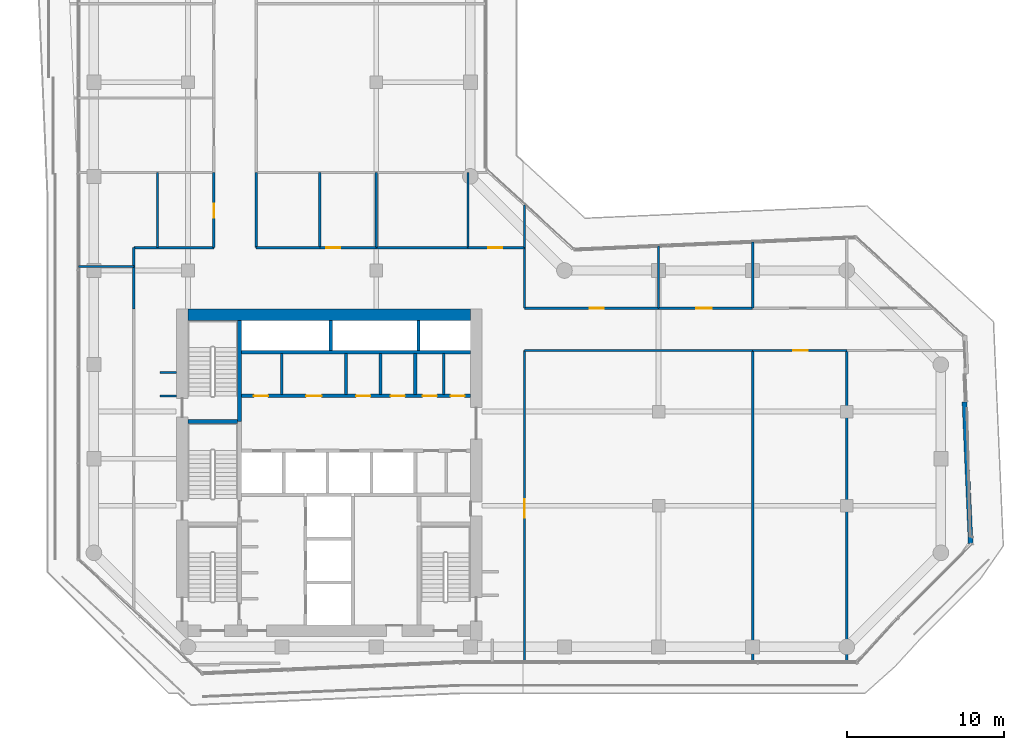
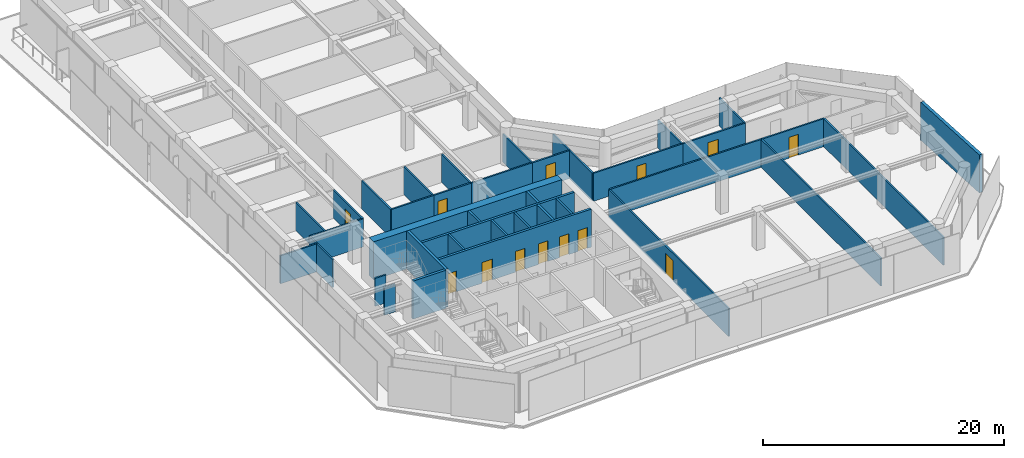
# One storey, part 20 of 24: 39 walls, 13 doors, 13 openings.
"""IFC4 building model written with IfcOpenShell, lengths in metres."""

import ifcopenshell
import ifcopenshell.guid

model = None  # the IFC model being written
_history = None  # IfcOwnerHistory: only IFC2X3 demands one
_inside = {}  # id of a spatial element -> (the spatial element, [elements in it])
_under = {}  # id of a project, library or spatial element -> (it, [spatial elements below it])
_declared = {}  # id of a project -> (the project, [libraries it declares])
_typed = {}  # id of a type object -> (the type object, [elements of that type])
_made_of = {}  # id of a material, layer set ... -> (it, [elements and type objects made of it])


def new_model(schema):
    """Start an empty IFC model of exactly this schema.

    Asked for "IFC4X3", IfcOpenShell would pick the latest addendum, in which some entities
    have other attributes; the version numbers below select the first issue.
    IFC2X3 requires an IfcOwnerHistory on every rooted entity: one is made here for all.
    """
    global model, _history
    if schema == "IFC4X3":
        model = ifcopenshell.file(schema_version=(4, 3, 0, 0))
    else:
        model = ifcopenshell.file(schema=schema)
    _inside.clear()
    _under.clear()
    _declared.clear()
    _typed.clear()
    _made_of.clear()
    _history = None
    if model.schema == "IFC2X3":
        org = make("IfcOrganization", Name="unknown")
        user = make(
            "IfcPersonAndOrganization",
            ThePerson=make("IfcPerson", FamilyName="unknown"),
            TheOrganization=org,
        )
        app = make(
            "IfcApplication",
            ApplicationDeveloper=org,
            Version="unknown",
            ApplicationFullName="unknown",
            ApplicationIdentifier="unknown",
        )
        _history = make(
            "IfcOwnerHistory",
            OwningUser=user,
            OwningApplication=app,
            ChangeAction="ADDED",
            CreationDate=0,
        )
    return model


def make(cls, **values):
    """One entity of the class cls with the attributes given. An attribute that is None is left unset."""
    return model.create_entity(
        cls, **{name: value for name, value in values.items() if value is not None}
    )


def rooted(cls, **values):
    """An entity with a GlobalId (a new one), such as an element, a storey or a relation."""
    return make(cls, GlobalId=ifcopenshell.guid.new(), OwnerHistory=_history, **values)


def si_unit(unit_type, name, prefix=None):
    """IfcSIUnit, for example si_unit("LENGTHUNIT", "METRE", prefix="MILLI")."""
    return make("IfcSIUnit", UnitType=unit_type, Prefix=prefix, Name=name)


def assignment(units):
    """IfcUnitAssignment: the units of a project."""
    return None if units is None else make("IfcUnitAssignment", Units=units)


def point(xyz):
    """IfcCartesianPoint."""
    return None if xyz is None else make("IfcCartesianPoint", Coordinates=xyz)


def direction(xyz):
    """IfcDirection."""
    return None if xyz is None else make("IfcDirection", DirectionRatios=xyz)


def frame(location, z_axis=None, x_axis=None):
    """IfcAxis2Placement3D, a coordinate frame: its origin and axes. An axis left out is left unset."""
    return make(
        "IfcAxis2Placement3D",
        Location=point(location),
        Axis=direction(z_axis),
        RefDirection=direction(x_axis),
    )


def frame_2d(location, x_axis=None):
    """IfcAxis2Placement2D, a coordinate frame in the plane: its origin and x axis."""
    return make(
        "IfcAxis2Placement2D", Location=point(location), RefDirection=direction(x_axis)
    )


def origin():
    """The frame at (0, 0, 0) with its axes left unset."""
    return frame((0.0, 0.0, 0.0))


def place(relative_to, where):
    """IfcLocalPlacement: puts the frame where relative to a parent placement (None: the world)."""
    return make(
        "IfcLocalPlacement", PlacementRelTo=relative_to, RelativePlacement=where
    )


def context(
    kind, dimensions, precision=None, world=None, true_north=None, identifier=None
):
    """IfcGeometricRepresentationContext, for example the 3D "Model" context."""
    return make(
        "IfcGeometricRepresentationContext",
        ContextIdentifier=identifier,
        ContextType=kind,
        CoordinateSpaceDimension=dimensions,
        Precision=precision,
        WorldCoordinateSystem=world,
        TrueNorth=true_north,
    )


def subcontext(parent, identifier, kind, view, scale=None):
    """IfcGeometricRepresentationSubContext, for example "Body" below "Model"."""
    return make(
        "IfcGeometricRepresentationSubContext",
        ContextIdentifier=identifier,
        ContextType=kind,
        ParentContext=parent,
        TargetScale=scale,
        TargetView=view,
    )


def project(units=None, contexts=None):
    """IfcProject with its units and contexts."""
    return rooted(
        "IfcProject",
        Name="project",
        RepresentationContexts=contexts,
        UnitsInContext=assignment(units),
    )


def spatial(cls, under=None, at=None, **own):
    """A site, building, storey or space (cls), placed at a placement, below another one or the project."""
    s = rooted(cls, ObjectPlacement=at, **own)
    if under is not None:
        _under.setdefault(under.id(), (under, []))[1].append(s)
    return s


def profile(cls, at=None, kind="AREA", **sizes):
    """A parametric profile (cls). Its sizes go by their IFC names, for example OverallWidth=200.0."""
    return make(cls, ProfileType=kind, Position=at, **sizes)


def rectangle(**sizes):
    """IfcRectangleProfileDef."""
    return profile("IfcRectangleProfileDef", **sizes)


def extrude(swept, where, along, depth):
    """IfcExtrudedAreaSolid: the profile swept, set in the frame where, extruded along a direction by depth."""
    return make(
        "IfcExtrudedAreaSolid",
        SweptArea=swept,
        Position=where,
        ExtrudedDirection=direction(along),
        Depth=depth,
    )


def shape(context_of_items, identifier, shape_type, items):
    """IfcShapeRepresentation: the items that make up one representation, for example the "Body"."""
    return make(
        "IfcShapeRepresentation",
        ContextOfItems=context_of_items,
        RepresentationIdentifier=identifier,
        RepresentationType=shape_type,
        Items=items,
    )


def material(Name=None, Category=None):
    """IfcMaterial."""
    return make("IfcMaterial", Name=Name, Category=Category)


def layer(
    of_material, thickness, ventilated=None, Name=None, Category=None, Priority=None
):
    """IfcMaterialLayer: one layer of a wall or slab, of a material (None: an air gap)."""
    return make(
        "IfcMaterialLayer",
        Material=of_material,
        LayerThickness=thickness,
        IsVentilated=ventilated,
        Name=Name,
        Category=Category,
        Priority=Priority,
    )


def layer_set(layers, Name=None):
    """IfcMaterialLayerSet."""
    return make("IfcMaterialLayerSet", MaterialLayers=layers, LayerSetName=Name)


def made_of(thing, what):
    """Note that an element or type object is made of a material, layer set ...; save() writes the relation."""
    if what is not None:
        _made_of.setdefault(what.id(), (what, []))[1].append(thing)
    return thing


def type_object(cls, material=None, **own):
    """A type object (cls), such as IfcWallType, which elements share."""
    return made_of(rooted(cls, **own), material)


def element(
    cls,
    number,
    at=None,
    inside=None,
    cuts=None,
    type_object=None,
    material=None,
    context=None,
    identifier="Body",
    shape_type=None,
    held_by="IfcProductDefinitionShape",
    body=None,
    shapes=None,
    **own,
):
    """One element of the class cls, such as IfcWall. Its Tag is "e" and its number.

    at: its placement. inside: the storey or other place that contains it. cuts: it is an
    opening in that element (IfcRelVoidsElement). A single representation is given by context,
    identifier, shape_type and body (its items); several are given by shapes. held_by: the class
    of the entity that holds the representations. save() writes the other relations.
    """
    e = rooted(cls, Tag="e%d" % number, ObjectPlacement=at, **own)
    if body is not None:
        shapes = [shape(context, identifier, shape_type, body)]
    if shapes is not None:
        e.Representation = make(held_by, Representations=shapes)
    if inside is not None:
        _inside.setdefault(inside.id(), (inside, []))[1].append(e)
    if cuts is not None:
        rooted(
            "IfcRelVoidsElement", RelatingBuildingElement=cuts, RelatedOpeningElement=e
        )
    if type_object is not None:
        _typed.setdefault(type_object.id(), (type_object, []))[1].append(e)
    return made_of(e, material)


def fill(opening, filler):
    """IfcRelFillsElement: the door or window that sits in an opening."""
    return rooted(
        "IfcRelFillsElement",
        RelatingOpeningElement=opening,
        RelatedBuildingElement=filler,
    )


def aggregate(whole, parts):
    """IfcRelAggregates: a whole, such as a stair, and the parts it consists of."""
    return rooted("IfcRelAggregates", RelatingObject=whole, RelatedObjects=parts)


def save(model, path):
    """Write the relations noted so far, then the file.

    IfcRelAggregates (storeys below a building ...), IfcRelContainedInSpatialStructure (elements
    in a storey), IfcRelDefinesByType, IfcRelAssociatesMaterial and IfcRelDeclares: one each for
    every whole, place, type object, material and project.
    """
    for whole, parts in _under.values():
        aggregate(whole, parts)
    for where, things in _inside.values():
        rooted(
            "IfcRelContainedInSpatialStructure",
            RelatedElements=things,
            RelatingStructure=where,
        )
    for kind, things in _typed.values():
        rooted("IfcRelDefinesByType", RelatedObjects=things, RelatingType=kind)
    for what, things in _made_of.values():
        rooted("IfcRelAssociatesMaterial", RelatedObjects=things, RelatingMaterial=what)
    for by, libraries in _declared.values():
        rooted("IfcRelDeclares", RelatingContext=by, RelatedDefinitions=libraries)
    model.write(path)


model = new_model("IFC4")

# Units and contexts
model_context = context("Model", 3, precision=1e-05, world=origin(), true_north=direction((0.0, 1.0)))
body_context = subcontext(model_context, "Body", "Model", "MODEL_VIEW")
ifc_project = project(units=[si_unit("LENGTHUNIT", "METRE"), si_unit("AREAUNIT", "SQUARE_METRE"), si_unit("VOLUMEUNIT", "CUBIC_METRE"), si_unit("PLANEANGLEUNIT", "RADIAN"), si_unit("MASSUNIT", "GRAM", prefix="KILO")], contexts=[model_context])

# Site, building, storey
site_placement = place(None, origin())
site = spatial("IfcSite", under=ifc_project, at=site_placement, CompositionType="ELEMENT")
building_placement = place(site_placement, origin())
building = spatial("IfcBuilding", under=site, at=building_placement, Name="Welwitschia Terrace Campus", CompositionType="ELEMENT")
storey_placement = place(building_placement, frame((0.0, 0.0, 100.39990234375)))
storey = spatial("IfcBuildingStorey", under=building, at=storey_placement, Name="L22", CompositionType="ELEMENT", Elevation=100.39990234375)

# Walls
ifc_material_1 = material(Name="Concrete C32/40", Category="concrete")
ifc_layer_1 = layer(ifc_material_1, 0.175048828125)
ifc_layer_set_1 = layer_set([ifc_layer_1], Name="Concrete C32/40")
wall_type_1 = type_object("IfcWallType", Name="Core partition 175 Concrete C32/40", PredefinedType="PARTITIONING", material=ifc_layer_set_1)
for number, where, z_axis, x_axis, name in (
    (1, (11.97509765625, 20.10009765625, 0.0), (0.0, 0.0, 1.0), (0.0, 1.0, 0.0), "Core partition"),
    (2, (16.074951171875, 20.10009765625, 0.0), (0.0, 0.0, 1.0), (0.0, 1.0, 0.0), "Core partition"),
    (3, (18.27490234375, 20.10009765625, 0.0), (0.0, 0.0, 1.0), (0.0, 1.0, 0.0), "Core partition"),
    (4, (22.300048828125, 20.10009765625, 0.0), (0.0, 0.0, 1.0), (0.0, 1.0, 0.0), "Core partition"),
):
    element("IfcWall", number, at=place(storey_placement, frame(where, z_axis=z_axis, x_axis=x_axis)), inside=storey, type_object=wall_type_1, Name=name, PredefinedType="PARTITIONING", context=body_context, shape_type="SweptSolid", body=[
        extrude(rectangle(XDim=2.599853515625, YDim=0.175048828125, at=frame_2d((1.2998046875, 0.0))), origin(), (0.0, 0.0, 1.0), 3.85009765625),
    ])

# Wall, openings, doors
ifc_material_2 = material(Name="Concrete C32/40", Category="concrete")
ifc_layer_2 = layer(ifc_material_2, 0.22509765625)
ifc_layer_set_2 = layer_set([ifc_layer_2], Name="Concrete C32/40")
wall_type_2 = type_object("IfcWallType", Name="Core partition 225 Concrete C32/40", PredefinedType="PARTITIONING", material=ifc_layer_set_2)
wall_1_placement = place(storey_placement, frame((24.0, 20.0, 0.0), z_axis=(0.0, 0.0, 1.0), x_axis=(-1.0, 0.0, 0.0)))
wall_1 = element("IfcWall", 5, at=wall_1_placement, inside=storey, type_object=wall_type_2, Name="Core partition", PredefinedType="PARTITIONING", context=body_context, shape_type="SweptSolid", body=[
    extrude(rectangle(XDim=14.60009765625, YDim=0.22509765625, at=frame_2d((7.300048828125, 0.0))), origin(), (0.0, 0.0, 1.0), 3.85009765625),
])
opening_1_placement = place(wall_1_placement, frame((12.89990234375, 0.0, 0.0)))
opening_1 = element("IfcOpeningElement", 6, at=opening_1_placement, cuts=wall_1, Name="Opening DR09", PredefinedType="OPENING", context=body_context, shape_type="SweptSolid", body=[
    extrude(rectangle(XDim=0.89990234375, YDim=2.10009765625, at=frame_2d((0.449951171875, 1.050048828125))), frame((0.0, 0.12255859375, 0.0), z_axis=(0.0, -1.0, 0.0), x_axis=(1.0, 0.0, 0.0)), (0.0, 0.0, 1.0), 0.2451171875),
])
opening_2_placement = place(wall_1_placement, frame((9.47509765625, 0.0, 0.0)))
opening_2 = element("IfcOpeningElement", 7, at=opening_2_placement, cuts=wall_1, Name="Opening DR10", PredefinedType="OPENING", context=body_context, shape_type="SweptSolid", body=[
    extrude(rectangle(XDim=1.0, YDim=2.10009765625, at=frame_2d((0.5, 1.050048828125))), frame((0.0, 0.12255859375, 0.0), z_axis=(0.0, -1.0, 0.0), x_axis=(1.0, 0.0, 0.0)), (0.0, 0.0, 1.0), 0.2451171875),
])
opening_3_placement = place(wall_1_placement, frame((6.375, 0.0, 0.0)))
opening_3 = element("IfcOpeningElement", 8, at=opening_3_placement, cuts=wall_1, Name="Opening DR09", PredefinedType="OPENING", context=body_context, shape_type="SweptSolid", body=[
    extrude(rectangle(XDim=0.89990234375, YDim=2.10009765625, at=frame_2d((0.449951171875, 1.050048828125))), frame((0.0, 0.12255859375, 0.0), z_axis=(0.0, -1.0, 0.0), x_axis=(1.0, 0.0, 0.0)), (0.0, 0.0, 1.0), 0.2451171875),
])
opening_4_placement = place(wall_1_placement, frame((4.175048828125, 0.0, 0.0)))
opening_4 = element("IfcOpeningElement", 9, at=opening_4_placement, cuts=wall_1, Name="Opening DR09", PredefinedType="OPENING", context=body_context, shape_type="SweptSolid", body=[
    extrude(rectangle(XDim=0.89990234375, YDim=2.10009765625, at=frame_2d((0.449951171875, 1.050048828125))), frame((0.0, 0.12255859375, 0.0), z_axis=(0.0, -1.0, 0.0), x_axis=(1.0, 0.0, 0.0)), (0.0, 0.0, 1.0), 0.2451171875),
])
opening_5_placement = place(wall_1_placement, frame((2.137451171875, 0.0, 0.0)))
opening_5 = element("IfcOpeningElement", 10, at=opening_5_placement, cuts=wall_1, Name="Opening DR09", PredefinedType="OPENING", context=body_context, shape_type="SweptSolid", body=[
    extrude(rectangle(XDim=0.89990234375, YDim=2.10009765625, at=frame_2d((0.449951171875, 1.050048828125))), frame((0.0, 0.12255859375, 0.0), z_axis=(0.0, -1.0, 0.0), x_axis=(1.0, 0.0, 0.0)), (0.0, 0.0, 1.0), 0.2451171875),
])
opening_6_placement = place(wall_1_placement, frame((0.362548828125, 0.0, 0.0)))
opening_6 = element("IfcOpeningElement", 11, at=opening_6_placement, cuts=wall_1, Name="Opening DR09", PredefinedType="OPENING", context=body_context, shape_type="SweptSolid", body=[
    extrude(rectangle(XDim=0.89990234375, YDim=2.10009765625, at=frame_2d((0.449951171875, 1.050048828125))), frame((0.0, 0.12255859375, 0.0), z_axis=(0.0, -1.0, 0.0), x_axis=(1.0, 0.0, 0.0)), (0.0, 0.0, 1.0), 0.2451171875),
])
ifc_material_3 = material(Name="Steel S275", Category="steel")
door_type_1 = type_object("IfcDoorType", Name="Core door DR09", OperationType="SINGLE_SWING_LEFT", PredefinedType="DOOR", material=ifc_material_3)
door_1_placement = place(opening_1_placement, origin())
door_1 = element("IfcDoor", 12, at=door_1_placement, inside=storey, type_object=door_type_1, Name="Door BAYH1-D", OperationType="SINGLE_SWING_RIGHT", OverallHeight=2.10009765625, OverallWidth=0.89990234375, PredefinedType="DOOR", context=body_context, shape_type="SweptSolid", body=[
    extrude(rectangle(XDim=0.89990234375, YDim=2.10009765625, at=frame_2d((0.449951171875, 1.050048828125))), frame((0.0, 0.02490234375, 0.0), z_axis=(0.0, -1.0, 0.0), x_axis=(1.0, 0.0, 0.0)), (0.0, 0.0, 1.0), 0.050048828125),
])
fill(opening_1, door_1)
door_2_placement = place(opening_3_placement, origin())
door_2 = element("IfcDoor", 13, at=door_2_placement, inside=storey, type_object=door_type_1, Name="Door BAYH3-D", OperationType="SINGLE_SWING_LEFT", OverallHeight=2.10009765625, OverallWidth=0.89990234375, PredefinedType="DOOR", context=body_context, shape_type="SweptSolid", body=[
    extrude(rectangle(XDim=0.89990234375, YDim=2.10009765625, at=frame_2d((0.449951171875, 1.050048828125))), frame((0.0, 0.02490234375, 0.0), z_axis=(0.0, -1.0, 0.0), x_axis=(1.0, 0.0, 0.0)), (0.0, 0.0, 1.0), 0.050048828125),
])
fill(opening_3, door_2)
door_3_placement = place(opening_4_placement, origin())
door_3 = element("IfcDoor", 14, at=door_3_placement, inside=storey, type_object=door_type_1, Name="Door BAYH4-D", OperationType="SINGLE_SWING_LEFT", OverallHeight=2.10009765625, OverallWidth=0.89990234375, PredefinedType="DOOR", context=body_context, shape_type="SweptSolid", body=[
    extrude(rectangle(XDim=0.89990234375, YDim=2.10009765625, at=frame_2d((0.449951171875, 1.050048828125))), frame((0.0, 0.02490234375, 0.0), z_axis=(0.0, -1.0, 0.0), x_axis=(1.0, 0.0, 0.0)), (0.0, 0.0, 1.0), 0.050048828125),
])
fill(opening_4, door_3)
door_4_placement = place(opening_5_placement, origin())
door_4 = element("IfcDoor", 15, at=door_4_placement, inside=storey, type_object=door_type_1, Name="Door EH1-D", OperationType="SINGLE_SWING_LEFT", OverallHeight=2.10009765625, OverallWidth=0.89990234375, PredefinedType="DOOR", context=body_context, shape_type="SweptSolid", body=[
    extrude(rectangle(XDim=0.89990234375, YDim=2.10009765625, at=frame_2d((0.449951171875, 1.050048828125))), frame((0.0, 0.02490234375, 0.0), z_axis=(0.0, -1.0, 0.0), x_axis=(1.0, 0.0, 0.0)), (0.0, 0.0, 1.0), 0.050048828125),
])
fill(opening_5, door_4)
door_5_placement = place(opening_6_placement, origin())
door_5 = element("IfcDoor", 16, at=door_5_placement, inside=storey, type_object=door_type_1, Name="Door EH2-D", OperationType="SINGLE_SWING_LEFT", OverallHeight=2.10009765625, OverallWidth=0.89990234375, PredefinedType="DOOR", context=body_context, shape_type="SweptSolid", body=[
    extrude(rectangle(XDim=0.89990234375, YDim=2.10009765625, at=frame_2d((0.449951171875, 1.050048828125))), frame((0.0, 0.02490234375, 0.0), z_axis=(0.0, -1.0, 0.0), x_axis=(1.0, 0.0, 0.0)), (0.0, 0.0, 1.0), 0.050048828125),
])
fill(opening_6, door_5)
ifc_material_4 = material(Name="Steel S275", Category="steel")
door_type_2 = type_object("IfcDoorType", Name="Core door DR10", OperationType="SINGLE_SWING_LEFT", PredefinedType="DOOR", material=ifc_material_4)
door_6_placement = place(opening_2_placement, origin())
door_6 = element("IfcDoor", 17, at=door_6_placement, inside=storey, type_object=door_type_2, Name="Door BAYH2-D", OperationType="SINGLE_SWING_RIGHT", OverallHeight=2.10009765625, OverallWidth=1.0, PredefinedType="DOOR", context=body_context, shape_type="SweptSolid", body=[
    extrude(rectangle(XDim=1.0, YDim=2.10009765625, at=frame_2d((0.5, 1.050048828125))), frame((0.0, 0.02490234375, 0.0), z_axis=(0.0, -1.0, 0.0), x_axis=(1.0, 0.0, 0.0)), (0.0, 0.0, 1.0), 0.050048828125),
])
fill(opening_2, door_6)

# Walls
wall_2_placement = place(storey_placement, frame((9.39990234375, 22.800048828125, 0.0), z_axis=(0.0, 0.0, 1.0), x_axis=(1.0, 0.0, 0.0)))
element("IfcWall", 18, at=wall_2_placement, inside=storey, type_object=wall_type_2, Name="Shaft wall", PredefinedType="PARTITIONING", context=body_context, shape_type="SweptSolid", body=[
    extrude(rectangle(XDim=14.60009765625, YDim=0.22509765625, at=frame_2d((7.300048828125, 0.0))), origin(), (0.0, 0.0, 1.0), 3.85009765625),
])
wall_3_placement = place(storey_placement, frame((20.5, 20.10009765625, 0.0), z_axis=(0.0, 0.0, 1.0), x_axis=(0.0, 1.0, 0.0)))
element("IfcWall", 19, at=wall_3_placement, inside=storey, type_object=wall_type_2, Name="Core partition", PredefinedType="PARTITIONING", context=body_context, shape_type="SweptSolid", body=[
    extrude(rectangle(XDim=2.599853515625, YDim=0.22509765625, at=frame_2d((1.2998046875, 0.0))), origin(), (0.0, 0.0, 1.0), 3.85009765625),
])
ifc_material_5 = material(Name="Concrete C50/60", Category="concrete")
ifc_layer_3 = layer(ifc_material_5, 0.199951171875)
ifc_layer_set_3 = layer_set([ifc_layer_3], Name="Concrete C50/60")
wall_type_3 = type_object("IfcWallType", Name="Core wall 200 Concrete C50/60", PredefinedType="SHEAR", material=ifc_layer_set_3)
for number, where, z_axis, x_axis, name in (
    (20, (15.10009765625, 22.89990234375, 0.0), (0.0, 0.0, 1.0), (0.0, 1.0, 0.0), "Core wall"),
    (21, (20.699951171875, 22.89990234375, 0.0), (0.0, 0.0, 1.0), (0.0, 1.0, 0.0), "Core wall"),
):
    element("IfcWall", number, at=place(storey_placement, frame(where, z_axis=z_axis, x_axis=x_axis)), inside=storey, type_object=wall_type_3, Name=name, PredefinedType="SHEAR", context=body_context, shape_type="SweptSolid", body=[
        extrude(rectangle(XDim=1.900146484375, YDim=0.199951171875, at=frame_2d((0.9501953125, 0.0))), origin(), (0.0, 0.0, 1.0), 3.85009765625),
    ])
ifc_material_6 = material(Name="Concrete C50/60", Category="concrete")
ifc_layer_4 = layer(ifc_material_6, 0.25)
ifc_layer_set_4 = layer_set([ifc_layer_4], Name="Concrete C50/60")
wall_type_4 = type_object("IfcWallType", Name="Core wall 250 Concrete C50/60", PredefinedType="SHEAR", material=ifc_layer_set_4)
wall_4_placement = place(storey_placement, frame((6.0, 18.375, 0.0), z_axis=(0.0, 0.0, 1.0), x_axis=(1.0, 0.0, 0.0)))
element("IfcWall", 22, at=wall_4_placement, inside=storey, type_object=wall_type_4, Name="Core wall", PredefinedType="SHEAR", context=body_context, shape_type="SweptSolid", body=[
    extrude(rectangle(XDim=3.14990234375, YDim=0.25, at=frame_2d((1.574951171875, 0.0))), origin(), (0.0, 0.0, 1.0), 3.85009765625),
])
wall_5_placement = place(storey_placement, frame((9.27490234375, 18.375, 0.0), z_axis=(0.0, 0.0, 1.0), x_axis=(0.0, 1.0, 0.0)))
element("IfcWall", 23, at=wall_5_placement, inside=storey, type_object=wall_type_4, Name="Core wall", PredefinedType="SHEAR", context=body_context, shape_type="SweptSolid", body=[
    extrude(rectangle(XDim=6.425048828125, YDim=0.25, at=frame_2d((3.21240234375, 0.0))), origin(), (0.0, 0.0, 1.0), 3.85009765625),
])
ifc_material_7 = material(Name="Concrete C70/85", Category="concrete")
ifc_layer_5 = layer(ifc_material_7, 0.75)
ifc_layer_set_5 = layer_set([ifc_layer_5], Name="Concrete C70/85")
wall_type_5 = type_object("IfcWallType", Name="Core wall 750 Concrete C70/85", PredefinedType="SHEAR", material=ifc_layer_set_5)
wall_6_placement = place(storey_placement, frame((6.0, 25.175048828125, 0.0), z_axis=(0.0, 0.0, 1.0), x_axis=(1.0, 0.0, 0.0)))
element("IfcWall", 24, at=wall_6_placement, inside=storey, type_object=wall_type_5, Name="Core outer wall", PredefinedType="SHEAR", context=body_context, shape_type="SweptSolid", body=[
    extrude(rectangle(XDim=18.0, YDim=0.75, at=frame_2d((9.0, 0.0))), origin(), (0.0, 0.0, 1.0), 3.85009765625),
])
ifc_material_8 = material(Name="Gypsum board on steel studs", Category="steel")
ifc_layer_6 = layer(ifc_material_8, 0.14990234375)
ifc_layer_set_6 = layer_set([ifc_layer_6], Name="Gypsum board on steel studs")
wall_type_6 = type_object("IfcWallType", Name="Corridor partition 150 EI 30", PredefinedType="PARTITIONING", material=ifc_layer_set_6)
wall_7_placement = place(storey_placement, frame((-0.97998046875, 28.25, 0.0), z_axis=(0.0, 0.0, 1.0), x_axis=(1.0, 0.0, 0.0)))
element("IfcWall", 25, at=wall_7_placement, inside=storey, type_object=wall_type_6, Name="Partition", PredefinedType="PARTITIONING", context=body_context, shape_type="SweptSolid", body=[
    extrude(rectangle(XDim=3.530029296875, YDim=0.14990234375, at=frame_2d((1.76513671875, 0.0))), origin(), (0.0, 0.0, 1.0), 2.830078125),
])
wall_8_placement = place(storey_placement, frame((2.550048828125, 25.550048828125, 0.0), z_axis=(0.0, 0.0, 1.0), x_axis=(0.0, 1.0, 0.0)))
element("IfcWall", 26, at=wall_8_placement, inside=storey, type_object=wall_type_6, Name="Partition", PredefinedType="PARTITIONING", context=body_context, shape_type="SweptSolid", body=[
    extrude(rectangle(XDim=3.89990234375, YDim=0.14990234375, at=frame_2d((1.949951171875, 0.0))), origin(), (0.0, 0.0, 1.0), 2.830078125),
])
wall_9_placement = place(storey_placement, frame((2.550048828125, 29.449951171875, 0.0), z_axis=(0.0, 0.0, 1.0), x_axis=(1.0, 0.0, 0.0)))
element("IfcWall", 27, at=wall_9_placement, inside=storey, type_object=wall_type_6, Name="Partition", PredefinedType="PARTITIONING", context=body_context, shape_type="SweptSolid", body=[
    extrude(rectangle(XDim=5.099853515625, YDim=0.14990234375, at=frame_2d((2.5498046875, 0.0))), origin(), (0.0, 0.0, 1.0), 2.830078125),
])
wall_10_placement = place(storey_placement, frame((4.050048828125, 29.449951171875, 0.0), z_axis=(0.0, 0.0, 1.0), x_axis=(0.0, 1.0, 0.0)))
element("IfcWall", 28, at=wall_10_placement, inside=storey, type_object=wall_type_6, Name="Partition", PredefinedType="PARTITIONING", context=body_context, shape_type="SweptSolid", body=[
    extrude(rectangle(XDim=4.800048828125, YDim=0.14990234375, at=frame_2d((2.39990234375, 0.0))), origin(), (0.0, 0.0, 1.0), 2.830078125),
])
for number, where, z_axis, x_axis, name in (
    (29, (4.199951171875, 20.0, 0.0), (0.0, 0.0, 1.0), (1.0, 0.0, 0.0), "Partition"),
    (30, (4.199951171875, 21.5, 0.0), (0.0, 0.0, 1.0), (1.0, 0.0, 0.0), "Partition"),
):
    element("IfcWall", number, at=place(storey_placement, frame(where, z_axis=z_axis, x_axis=x_axis)), inside=storey, type_object=wall_type_6, Name=name, PredefinedType="PARTITIONING", context=body_context, shape_type="SweptSolid", body=[
        extrude(rectangle(XDim=1.050048828125, YDim=0.14990234375, at=frame_2d((0.52490234375, 0.0))), origin(), (0.0, 0.0, 1.0), 2.830078125),
    ])

# Wall, opening, door
wall_11_placement = place(storey_placement, frame((7.64990234375, 29.449951171875, 0.0), z_axis=(0.0, 0.0, 1.0), x_axis=(0.0, 1.0, 0.0)))
wall_11 = element("IfcWall", 31, at=wall_11_placement, inside=storey, type_object=wall_type_6, Name="Partition", PredefinedType="PARTITIONING", context=body_context, shape_type="SweptSolid", body=[
    extrude(rectangle(XDim=4.800048828125, YDim=0.14990234375, at=frame_2d((2.39990234375, 0.0))), origin(), (0.0, 0.0, 1.0), 2.830078125),
])
opening_7_placement = place(wall_11_placement, frame((1.89990234375, 0.0, 0.0)))
opening_7 = element("IfcOpeningElement", 32, at=opening_7_placement, cuts=wall_11, Name="Opening DI09", PredefinedType="OPENING", context=body_context, shape_type="SweptSolid", body=[
    extrude(rectangle(XDim=0.89990234375, YDim=2.10009765625, at=frame_2d((0.449951171875, 1.050048828125))), frame((0.0, 0.0849609375, 0.0), z_axis=(0.0, -1.0, 0.0), x_axis=(1.0, 0.0, 0.0)), (0.0, 0.0, 1.0), 0.169921875),
])
ifc_material_9 = material(Name="Timber veneered door", Category="wood")
door_type_3 = type_object("IfcDoorType", Name="Interior door DI09", OperationType="NOTDEFINED", PredefinedType="DOOR", material=ifc_material_9)
door_7_placement = place(opening_7_placement, origin())
door_7 = element("IfcDoor", 33, at=door_7_placement, inside=storey, type_object=door_type_3, Name="Door L22 480", OperationType="SINGLE_SWING_LEFT", OverallHeight=2.10009765625, OverallWidth=0.89990234375, PredefinedType="DOOR", context=body_context, shape_type="SweptSolid", body=[
    extrude(rectangle(XDim=0.89990234375, YDim=2.10009765625, at=frame_2d((0.449951171875, 1.050048828125))), frame((0.0, 0.02490234375, 0.0), z_axis=(0.0, -1.0, 0.0), x_axis=(1.0, 0.0, 0.0)), (0.0, 0.0, 1.0), 0.050048828125),
])
fill(opening_7, door_7)

# Walls
wall_12_placement = place(storey_placement, frame((10.35009765625, 29.449951171875, 0.0), z_axis=(0.0, 0.0, 1.0), x_axis=(0.0, 1.0, 0.0)))
element("IfcWall", 34, at=wall_12_placement, inside=storey, type_object=wall_type_6, Name="Partition", PredefinedType="PARTITIONING", context=body_context, shape_type="SweptSolid", body=[
    extrude(rectangle(XDim=4.800048828125, YDim=0.14990234375, at=frame_2d((2.39990234375, 0.0))), origin(), (0.0, 0.0, 1.0), 2.830078125),
])
wall_13_placement = place(storey_placement, frame((10.35009765625, 29.449951171875, 0.0), z_axis=(0.0, 0.0, 1.0), x_axis=(1.0, 0.0, 0.0)))
element("IfcWall", 35, at=wall_13_placement, inside=storey, type_object=wall_type_6, Name="Partition", PredefinedType="PARTITIONING", context=body_context, shape_type="SweptSolid", body=[
    extrude(rectangle(XDim=4.0498046875, YDim=0.14990234375, at=frame_2d((2.02490234375, 0.0))), origin(), (0.0, 0.0, 1.0), 2.830078125),
])
wall_14_placement = place(storey_placement, frame((14.39990234375, 29.449951171875, 0.0), z_axis=(0.0, 0.0, 1.0), x_axis=(0.0, 1.0, 0.0)))
element("IfcWall", 36, at=wall_14_placement, inside=storey, type_object=wall_type_6, Name="Partition", PredefinedType="PARTITIONING", context=body_context, shape_type="SweptSolid", body=[
    extrude(rectangle(XDim=4.800048828125, YDim=0.14990234375, at=frame_2d((2.39990234375, 0.0))), origin(), (0.0, 0.0, 1.0), 2.830078125),
])

# Wall, opening, door
wall_15_placement = place(storey_placement, frame((14.39990234375, 29.449951171875, 0.0), z_axis=(0.0, 0.0, 1.0), x_axis=(1.0, 0.0, 0.0)))
wall_15 = element("IfcWall", 37, at=wall_15_placement, inside=storey, type_object=wall_type_6, Name="Partition", PredefinedType="PARTITIONING", context=body_context, shape_type="SweptSolid", body=[
    extrude(rectangle(XDim=3.60009765625, YDim=0.14990234375, at=frame_2d((1.800048828125, 0.0))), origin(), (0.0, 0.0, 1.0), 2.830078125),
])
opening_8_placement = place(wall_15_placement, frame((0.39990234375, 0.0, 0.0)))
opening_8 = element("IfcOpeningElement", 38, at=opening_8_placement, cuts=wall_15, Name="Opening DI09", PredefinedType="OPENING", context=body_context, shape_type="SweptSolid", body=[
    extrude(rectangle(XDim=0.89990234375, YDim=2.10009765625, at=frame_2d((0.449951171875, 1.050048828125))), frame((0.0, 0.0849609375, 0.0), z_axis=(0.0, -1.0, 0.0), x_axis=(1.0, 0.0, 0.0)), (0.0, 0.0, 1.0), 0.169921875),
])
door_8_placement = place(opening_8_placement, origin())
door_8 = element("IfcDoor", 39, at=door_8_placement, inside=storey, type_object=door_type_3, Name="Door L22 491", OperationType="SINGLE_SWING_RIGHT", OverallHeight=2.10009765625, OverallWidth=0.89990234375, PredefinedType="DOOR", context=body_context, shape_type="SweptSolid", body=[
    extrude(rectangle(XDim=0.89990234375, YDim=2.10009765625, at=frame_2d((0.449951171875, 1.050048828125))), frame((0.0, 0.02490234375, 0.0), z_axis=(0.0, -1.0, 0.0), x_axis=(1.0, 0.0, 0.0)), (0.0, 0.0, 1.0), 0.050048828125),
])
fill(opening_8, door_8)

# Walls
wall_16_placement = place(storey_placement, frame((18.0, 29.449951171875, 0.0), z_axis=(0.0, 0.0, 1.0), x_axis=(0.0, 1.0, 0.0)))
element("IfcWall", 40, at=wall_16_placement, inside=storey, type_object=wall_type_6, Name="Partition", PredefinedType="PARTITIONING", context=body_context, shape_type="SweptSolid", body=[
    extrude(rectangle(XDim=4.800048828125, YDim=0.14990234375, at=frame_2d((2.39990234375, 0.0))), origin(), (0.0, 0.0, 1.0), 2.830078125),
])
wall_17_placement = place(storey_placement, frame((18.0, 29.449951171875, 0.0), z_axis=(0.0, 0.0, 1.0), x_axis=(1.0, 0.0, 0.0)))
element("IfcWall", 41, at=wall_17_placement, inside=storey, type_object=wall_type_6, Name="Partition", PredefinedType="PARTITIONING", context=body_context, shape_type="SweptSolid", body=[
    extrude(rectangle(XDim=5.85009765625, YDim=0.14990234375, at=frame_2d((2.925048828125, 0.0))), origin(), (0.0, 0.0, 1.0), 2.830078125),
])
wall_18_placement = place(storey_placement, frame((23.85009765625, 29.449951171875, 0.0), z_axis=(0.0, 0.0, 1.0), x_axis=(0.0, 1.0, 0.0)))
element("IfcWall", 42, at=wall_18_placement, inside=storey, type_object=wall_type_6, Name="Partition", PredefinedType="PARTITIONING", context=body_context, shape_type="SweptSolid", body=[
    extrude(rectangle(XDim=4.800048828125, YDim=0.14990234375, at=frame_2d((2.39990234375, 0.0))), origin(), (0.0, 0.0, 1.0), 2.830078125),
])

# Wall, opening, door
wall_19_placement = place(storey_placement, frame((23.85009765625, 29.449951171875, 0.0), z_axis=(0.0, 0.0, 1.0), x_axis=(1.0, 0.0, 0.0)))
wall_19 = element("IfcWall", 43, at=wall_19_placement, inside=storey, type_object=wall_type_6, Name="Partition", PredefinedType="PARTITIONING", context=body_context, shape_type="SweptSolid", body=[
    extrude(rectangle(XDim=3.599853515625, YDim=0.14990234375, at=frame_2d((1.7998046875, 0.0))), origin(), (0.0, 0.0, 1.0), 2.830078125),
])
opening_9_placement = place(wall_19_placement, frame((1.300048828125, 0.0, 0.0)))
opening_9 = element("IfcOpeningElement", 44, at=opening_9_placement, cuts=wall_19, Name="Opening DI09", PredefinedType="OPENING", context=body_context, shape_type="SweptSolid", body=[
    extrude(rectangle(XDim=0.89990234375, YDim=2.10009765625, at=frame_2d((0.449951171875, 1.050048828125))), frame((0.0, 0.0849609375, 0.0), z_axis=(0.0, -1.0, 0.0), x_axis=(1.0, 0.0, 0.0)), (0.0, 0.0, 1.0), 0.169921875),
])
door_9_placement = place(opening_9_placement, origin())
door_9 = element("IfcDoor", 45, at=door_9_placement, inside=storey, type_object=door_type_3, Name="Door L22 492", OperationType="SINGLE_SWING_LEFT", OverallHeight=2.10009765625, OverallWidth=0.89990234375, PredefinedType="DOOR", context=body_context, shape_type="SweptSolid", body=[
    extrude(rectangle(XDim=0.89990234375, YDim=2.10009765625, at=frame_2d((0.449951171875, 1.050048828125))), frame((0.0, 0.02490234375, 0.0), z_axis=(0.0, -1.0, 0.0), x_axis=(1.0, 0.0, 0.0)), (0.0, 0.0, 1.0), 0.050048828125),
])
fill(opening_9, door_9)

wall_20_placement = place(storey_placement, frame((27.449951171875, 22.89990234375, 0.0), z_axis=(0.0, 0.0, 1.0), x_axis=(0.0, -1.0, 0.0)))
wall_20 = element("IfcWall", 46, at=wall_20_placement, inside=storey, type_object=wall_type_6, Name="Partition", PredefinedType="PARTITIONING", context=body_context, shape_type="SweptSolid", body=[
    extrude(rectangle(XDim=19.8798828125, YDim=0.14990234375, at=frame_2d((9.93994140625, 0.0))), origin(), (0.0, 0.0, 1.0), 2.830078125),
])
opening_10_placement = place(wall_20_placement, frame((9.47998046875, 0.0, 0.0)))
opening_10 = element("IfcOpeningElement", 47, at=opening_10_placement, cuts=wall_20, Name="Opening DI12", PredefinedType="OPENING", context=body_context, shape_type="SweptSolid", body=[
    extrude(rectangle(XDim=1.199951171875, YDim=2.10009765625, at=frame_2d((0.60009765625, 1.050048828125))), frame((0.0, 0.0849609375, 0.0), z_axis=(0.0, -1.0, 0.0), x_axis=(1.0, 0.0, 0.0)), (0.0, 0.0, 1.0), 0.169921875),
])
ifc_material_10 = material(Name="Timber veneered door", Category="wood")
door_type_4 = type_object("IfcDoorType", Name="Interior door DI12", OperationType="NOTDEFINED", PredefinedType="DOOR", material=ifc_material_10)
door_10_placement = place(opening_10_placement, origin())
door_10 = element("IfcDoor", 48, at=door_10_placement, inside=storey, type_object=door_type_4, Name="Door L22 493", OperationType="SINGLE_SWING_RIGHT", OverallHeight=2.10009765625, OverallWidth=1.199951171875, PredefinedType="DOOR", context=body_context, shape_type="SweptSolid", body=[
    extrude(rectangle(XDim=1.199951171875, YDim=2.10009765625, at=frame_2d((0.60009765625, 1.050048828125))), frame((0.0, 0.02490234375, 0.0), z_axis=(0.0, -1.0, 0.0), x_axis=(1.0, 0.0, 0.0)), (0.0, 0.0, 1.0), 0.050048828125),
])
fill(opening_10, door_10)

# Walls
wall_21_placement = place(storey_placement, frame((27.449951171875, 22.89990234375, 0.0), z_axis=(0.0, 0.0, 1.0), x_axis=(1.0, 0.0, 0.0)))
element("IfcWall", 49, at=wall_21_placement, inside=storey, type_object=wall_type_6, Name="Partition", PredefinedType="PARTITIONING", context=body_context, shape_type="SweptSolid", body=[
    extrude(rectangle(XDim=14.550048828125, YDim=0.14990234375, at=frame_2d((7.27490234375, 0.0))), origin(), (0.0, 0.0, 1.0), 2.830078125),
])
wall_22_placement = place(storey_placement, frame((27.449951171875, 25.60009765625, 0.0), z_axis=(0.0, 0.0, 1.0), x_axis=(0.0, 1.0, 0.0)))
element("IfcWall", 50, at=wall_22_placement, inside=storey, type_object=wall_type_6, Name="Partition", PredefinedType="PARTITIONING", context=body_context, shape_type="SweptSolid", body=[
    extrude(rectangle(XDim=3.849853515625, YDim=0.14990234375, at=frame_2d((1.9248046875, 0.0))), origin(), (0.0, 0.0, 1.0), 2.830078125),
])

# Wall, opening, door
wall_23_placement = place(storey_placement, frame((27.449951171875, 25.60009765625, 0.0), z_axis=(0.0, 0.0, 1.0), x_axis=(1.0, 0.0, 0.0)))
wall_23 = element("IfcWall", 51, at=wall_23_placement, inside=storey, type_object=wall_type_6, Name="Partition", PredefinedType="PARTITIONING", context=body_context, shape_type="SweptSolid", body=[
    extrude(rectangle(XDim=8.550048828125, YDim=0.14990234375, at=frame_2d((4.27490234375, 0.0))), origin(), (0.0, 0.0, 1.0), 2.830078125),
])
opening_11_placement = place(wall_23_placement, frame((4.14990234375, 0.0, 0.0)))
opening_11 = element("IfcOpeningElement", 52, at=opening_11_placement, cuts=wall_23, Name="Opening DI09", PredefinedType="OPENING", context=body_context, shape_type="SweptSolid", body=[
    extrude(rectangle(XDim=0.89990234375, YDim=2.10009765625, at=frame_2d((0.449951171875, 1.050048828125))), frame((0.0, 0.0849609375, 0.0), z_axis=(0.0, -1.0, 0.0), x_axis=(1.0, 0.0, 0.0)), (0.0, 0.0, 1.0), 0.169921875),
])
door_11_placement = place(opening_11_placement, origin())
door_11 = element("IfcDoor", 53, at=door_11_placement, inside=storey, type_object=door_type_3, Name="Door L22 494", OperationType="SINGLE_SWING_LEFT", OverallHeight=2.10009765625, OverallWidth=0.89990234375, PredefinedType="DOOR", context=body_context, shape_type="SweptSolid", body=[
    extrude(rectangle(XDim=0.89990234375, YDim=2.10009765625, at=frame_2d((0.449951171875, 1.050048828125))), frame((0.0, 0.02490234375, 0.0), z_axis=(0.0, -1.0, 0.0), x_axis=(1.0, 0.0, 0.0)), (0.0, 0.0, 1.0), 0.050048828125),
])
fill(opening_11, door_11)

# Walls
wall_24_placement = place(storey_placement, frame((27.449951171875, 29.449951171875, 0.0), z_axis=(0.0, 0.0, 1.0), x_axis=(0.0, 1.0, 0.0)))
element("IfcWall", 54, at=wall_24_placement, inside=storey, type_object=wall_type_6, Name="Partition", PredefinedType="PARTITIONING", context=body_context, shape_type="SweptSolid", body=[
    extrude(rectangle(XDim=2.739990234375, YDim=0.14990234375, at=frame_2d((1.3701171875, 0.0))), origin(), (0.0, 0.0, 1.0), 2.830078125),
])
wall_25_placement = place(storey_placement, frame((36.0, 25.60009765625, 0.0), z_axis=(0.0, 0.0, 1.0), x_axis=(0.0, 1.0, 0.0)))
element("IfcWall", 55, at=wall_25_placement, inside=storey, type_object=wall_type_6, Name="Partition", PredefinedType="PARTITIONING", context=body_context, shape_type="SweptSolid", body=[
    extrude(rectangle(XDim=3.9599609375, YDim=0.14990234375, at=frame_2d((1.97998046875, 0.0))), origin(), (0.0, 0.0, 1.0), 2.830078125),
])

# Wall, opening, door
wall_26_placement = place(storey_placement, frame((36.0, 25.60009765625, 0.0), z_axis=(0.0, 0.0, 1.0), x_axis=(1.0, 0.0, 0.0)))
wall_26 = element("IfcWall", 56, at=wall_26_placement, inside=storey, type_object=wall_type_6, Name="Partition", PredefinedType="PARTITIONING", context=body_context, shape_type="SweptSolid", body=[
    extrude(rectangle(XDim=6.0, YDim=0.14990234375, at=frame_2d((3.0, 0.0))), origin(), (0.0, 0.0, 1.0), 2.830078125),
])
opening_12_placement = place(wall_26_placement, frame((2.39990234375, 0.0, 0.0)))
opening_12 = element("IfcOpeningElement", 57, at=opening_12_placement, cuts=wall_26, Name="Opening DI10", PredefinedType="OPENING", context=body_context, shape_type="SweptSolid", body=[
    extrude(rectangle(XDim=1.0, YDim=2.10009765625, at=frame_2d((0.5, 1.050048828125))), frame((0.0, 0.0849609375, 0.0), z_axis=(0.0, -1.0, 0.0), x_axis=(1.0, 0.0, 0.0)), (0.0, 0.0, 1.0), 0.169921875),
])
ifc_material_11 = material(Name="Timber veneered door", Category="wood")
door_type_5 = type_object("IfcDoorType", Name="Interior door DI10", OperationType="NOTDEFINED", PredefinedType="DOOR", material=ifc_material_11)
door_12_placement = place(opening_12_placement, origin())
door_12 = element("IfcDoor", 58, at=door_12_placement, inside=storey, type_object=door_type_5, Name="Door L22 495", OperationType="SINGLE_SWING_RIGHT", OverallHeight=2.10009765625, OverallWidth=1.0, PredefinedType="DOOR", context=body_context, shape_type="SweptSolid", body=[
    extrude(rectangle(XDim=1.0, YDim=2.10009765625, at=frame_2d((0.5, 1.050048828125))), frame((0.0, 0.02490234375, 0.0), z_axis=(0.0, -1.0, 0.0), x_axis=(1.0, 0.0, 0.0)), (0.0, 0.0, 1.0), 0.050048828125),
])
fill(opening_12, door_12)

# Walls
wall_27_placement = place(storey_placement, frame((42.0, 3.02001953125, 0.0), z_axis=(0.0, 0.0, 1.0), x_axis=(0.0, 1.0, 0.0)))
element("IfcWall", 59, at=wall_27_placement, inside=storey, type_object=wall_type_6, Name="Partition", PredefinedType="PARTITIONING", context=body_context, shape_type="SweptSolid", body=[
    extrude(rectangle(XDim=19.8798828125, YDim=0.14990234375, at=frame_2d((9.93994140625, 0.0))), origin(), (0.0, 0.0, 1.0), 2.830078125),
])
wall_28_placement = place(storey_placement, frame((42.0, 25.60009765625, 0.0), z_axis=(0.0, 0.0, 1.0), x_axis=(0.0, 1.0, 0.0)))
element("IfcWall", 60, at=wall_28_placement, inside=storey, type_object=wall_type_6, Name="Partition", PredefinedType="PARTITIONING", context=body_context, shape_type="SweptSolid", body=[
    extrude(rectangle(XDim=4.219970703125, YDim=0.14990234375, at=frame_2d((2.10986328125, 0.0))), origin(), (0.0, 0.0, 1.0), 2.830078125),
])
wall_29_placement = place(storey_placement, frame((48.0, 3.02001953125, 0.0), z_axis=(0.0, 0.0, 1.0), x_axis=(0.0, 1.0, 0.0)))
element("IfcWall", 61, at=wall_29_placement, inside=storey, type_object=wall_type_6, Name="Partition", PredefinedType="PARTITIONING", context=body_context, shape_type="SweptSolid", body=[
    extrude(rectangle(XDim=19.8798828125, YDim=0.14990234375, at=frame_2d((9.93994140625, 0.0))), origin(), (0.0, 0.0, 1.0), 2.830078125),
])

# Wall, opening, door
wall_30_placement = place(storey_placement, frame((48.0, 22.89990234375, 0.0), z_axis=(0.0, 0.0, 1.0), x_axis=(-1.0, 0.0, 0.0)))
wall_30 = element("IfcWall", 62, at=wall_30_placement, inside=storey, type_object=wall_type_6, Name="Partition", PredefinedType="PARTITIONING", context=body_context, shape_type="SweptSolid", body=[
    extrude(rectangle(XDim=6.0, YDim=0.14990234375, at=frame_2d((3.0, 0.0))), origin(), (0.0, 0.0, 1.0), 2.830078125),
])
opening_13_placement = place(wall_30_placement, frame((2.5, 0.0, 0.0)))
opening_13 = element("IfcOpeningElement", 63, at=opening_13_placement, cuts=wall_30, Name="Opening DI09", PredefinedType="OPENING", context=body_context, shape_type="SweptSolid", body=[
    extrude(rectangle(XDim=0.89990234375, YDim=2.10009765625, at=frame_2d((0.449951171875, 1.050048828125))), frame((0.0, 0.0849609375, 0.0), z_axis=(0.0, -1.0, 0.0), x_axis=(1.0, 0.0, 0.0)), (0.0, 0.0, 1.0), 0.169921875),
])
door_13_placement = place(opening_13_placement, origin())
door_13 = element("IfcDoor", 64, at=door_13_placement, inside=storey, type_object=door_type_3, Name="Door L22 497", OperationType="SINGLE_SWING_RIGHT", OverallHeight=2.10009765625, OverallWidth=0.89990234375, PredefinedType="DOOR", context=body_context, shape_type="SweptSolid", body=[
    extrude(rectangle(XDim=0.89990234375, YDim=2.10009765625, at=frame_2d((0.449951171875, 1.050048828125))), frame((0.0, 0.02490234375, 0.0), z_axis=(0.0, -1.0, 0.0), x_axis=(1.0, 0.0, 0.0)), (0.0, 0.0, 1.0), 0.050048828125),
])
fill(opening_13, door_13)

# Wall
ifc_material_12 = material(Name="Concrete C40/50", Category="concrete")
ifc_layer_7 = layer(ifc_material_12, 0.300048828125)
ifc_layer_set_7 = layer_set([ifc_layer_7], Name="Concrete C40/50")
wall_type_7 = type_object("IfcWallType", Name="Mass wall 300", PredefinedType="SOLIDWALL", material=ifc_layer_set_7)
wall_31_placement = place(storey_placement, frame((55.897216796875, 10.583984375, 0.0), z_axis=(0.0, 0.0, 1.0), x_axis=(-0.043609267053, 0.999048663393, 0.0)))
element("IfcWall", 65, at=wall_31_placement, inside=storey, type_object=wall_type_7, Name="Mass wall L22.5.0", PredefinedType="SOLIDWALL", context=body_context, shape_type="SweptSolid", body=[
    extrude(rectangle(XDim=9.052490234375, YDim=0.300048828125, at=frame_2d((4.5263671875, 0.0))), origin(), (0.0, 0.0, 1.0), 3.85009765625),
])

save(model, "model.ifc")
